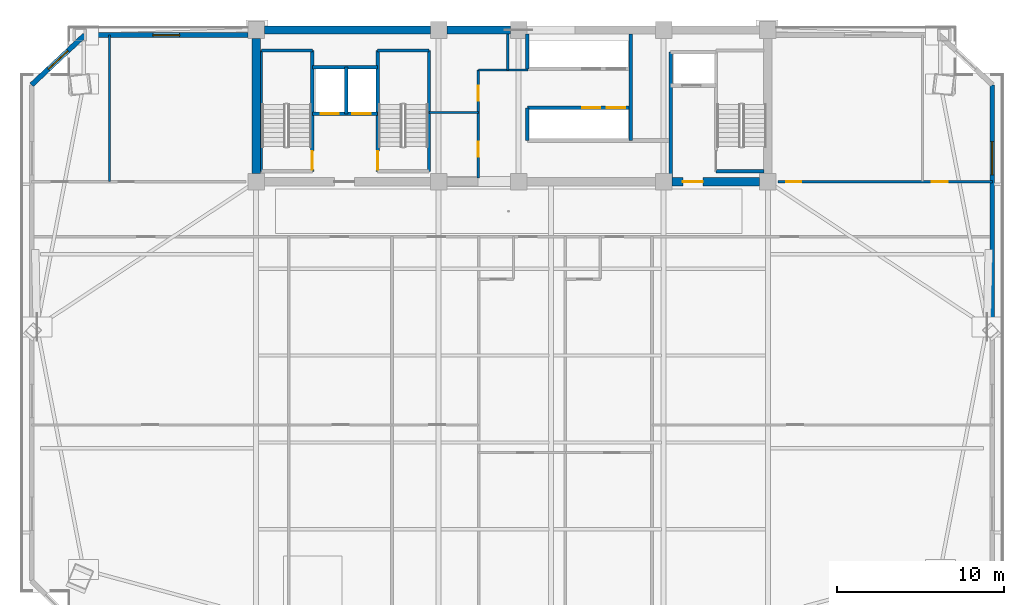
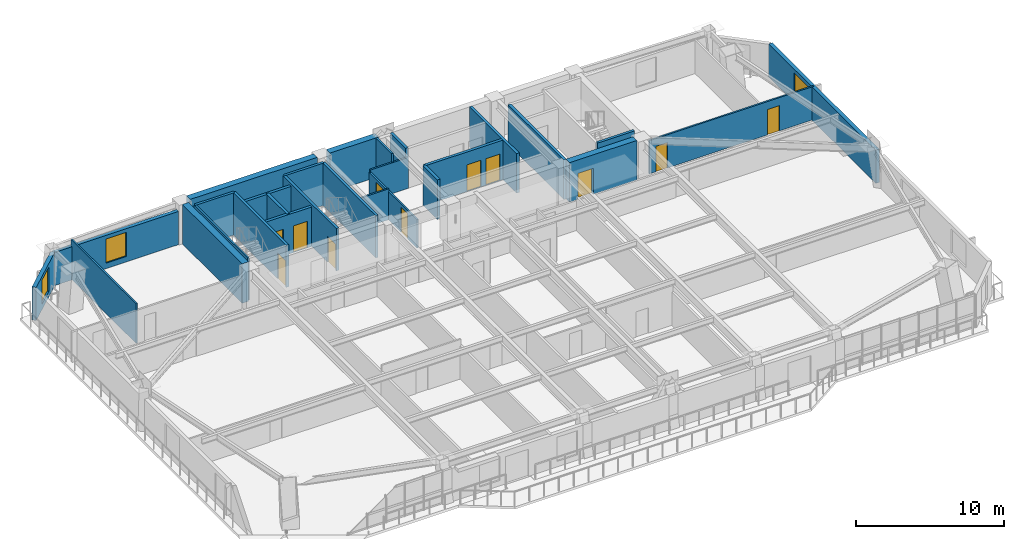
# One storey, part 9 of 16: 28 walls, 11 doors, 3 windows, 14 openings.
"""IFC4 building model written with IfcOpenShell, lengths in metres."""

from ifc_helpers import new_model, si_unit, direction, frame, frame_2d, origin, place, context, subcontext, project, spatial, rectangle, extrude, source, transform, mapped, material, layer, layer_set, type_object, element, fill, save


model = new_model("IFC4")

# Units and contexts
model_context = context("Model", 3, precision=1e-05, world=origin(), true_north=direction((0.0, 1.0)))
body_context = subcontext(model_context, "Body", "Model", "MODEL_VIEW")
ifc_project = project(units=[si_unit("LENGTHUNIT", "METRE"), si_unit("AREAUNIT", "SQUARE_METRE"), si_unit("VOLUMEUNIT", "CUBIC_METRE"), si_unit("PLANEANGLEUNIT", "RADIAN"), si_unit("MASSUNIT", "GRAM", prefix="KILO")], contexts=[model_context])

# Site, building, storey
site_placement = place(None, origin())
site = spatial("IfcSite", under=ifc_project, at=site_placement, CompositionType="ELEMENT")
building_placement = place(site_placement, origin())
building = spatial("IfcBuilding", under=site, at=building_placement, Name="Giltprow Tower", CompositionType="ELEMENT")
storey_placement = place(building_placement, frame((0.0, 0.0, 199.199951171875)))
storey = spatial("IfcBuildingStorey", under=building, at=storey_placement, Name="L50", CompositionType="ELEMENT", Elevation=199.199951171875)

# Wall, opening, window
ifc_material_1 = material(Name="Precast concrete C40", Category="concrete")
ifc_layer_1 = layer(ifc_material_1, 0.300048828125, Name="Precast concrete C40")
ifc_layer_set_1 = layer_set([ifc_layer_1], Name="Precast concrete C40")
wall_type_1 = type_object("IfcWallType", Name="EW-NOTCH-CHAMFER-300", PredefinedType="SOLIDWALL", material=ifc_layer_set_1)
wall_1_placement = place(storey_placement, frame((9.573974609375, 46.25, 0.0), z_axis=(0.0, 0.0, 1.0), x_axis=(-0.729638355144, -0.683833218484, 0.0)))
wall_1 = element("IfcWall", 1, at=wall_1_placement, inside=storey, type_object=wall_type_1, Name="L50 Corner Notch Wall NW", PredefinedType="SOLIDWALL", context=body_context, shape_type="SweptSolid", body=[
    extrude(rectangle(XDim=4.365234375, YDim=0.300048828125, at=frame_2d((2.1826171875, 0.0))), origin(), (0.0, 0.0, 1.0), 2.75),
])
opening_1_placement = place(wall_1_placement, frame((1.383056640625, 0.0, 0.449951171875)))
opening_1 = element("IfcOpeningElement", 2, at=opening_1_placement, cuts=wall_1, Name="Opening WN17", PredefinedType="OPENING", context=body_context, shape_type="SweptSolid", body=[
    extrude(rectangle(XDim=1.60009765625, YDim=2.0, at=frame_2d((0.800048828125, 1.0))), frame((0.0, 0.159912109375, 0.0), z_axis=(0.0, -1.0, 0.0), x_axis=(1.0, 0.0, 0.0)), (0.0, 0.0, 1.0), 0.320068359375),
])
ifc_material_2 = material(Name="Insulated glass", Category="glass")
window_type_1 = type_object("IfcWindowType", Name="WN-COR-1600x2000", PartitioningType="SINGLE_PANEL", PredefinedType="WINDOW", material=ifc_material_2)
shared_shape_1 = source(origin(), body_context, "Body", "SweptSolid", [
    extrude(rectangle(XDim=1.60009765625, YDim=2.0, at=frame_2d((0.800048828125, 1.0))), frame((0.0, 0.030029296875, 0.0), z_axis=(0.0, -1.0, 0.0), x_axis=(1.0, 0.0, 0.0)), (0.0, 0.0, 1.0), 0.06005859375),
])
window_1_placement = place(opening_1_placement, origin())
window_1 = element("IfcWindow", 3, at=window_1_placement, inside=storey, type_object=window_type_1, Name="L50 Corner Notch Window NW", OverallHeight=2.0, OverallWidth=1.60009765625, PartitioningType="SINGLE_PANEL", PredefinedType="WINDOW", context=body_context, shape_type="MappedRepresentation", body=[
    mapped(shared_shape_1, transform((0.0, 0.0, 0.0), x_axis=(1.0, 0.0, 0.0), y_axis=(0.0, 1.0, 0.0), z_axis=(0.0, 0.0, 1.0), scale=1.0)),
])
fill(opening_1, window_1)

ifc_layer_2 = layer(ifc_material_1, 0.280029296875, Name="Precast concrete C40")
ifc_layer_set_2 = layer_set([ifc_layer_2], Name="Precast concrete C40")
wall_type_2 = type_object("IfcWallType", Name="EW-TOW-BRONZE-280", PredefinedType="SOLIDWALL", material=ifc_layer_set_2)
wall_2_placement = place(storey_placement, frame((64.011962890625, 28.739990234375, 0.0), z_axis=(0.0, 0.0, 1.0), x_axis=(0.0, 1.0, 0.0)))
wall_2 = element("IfcWall", 4, at=wall_2_placement, inside=storey, type_object=wall_type_2, Name="L50 E Wing Masonry Wall 2", PredefinedType="SOLIDWALL", context=body_context, shape_type="SweptSolid", body=[
    extrude(rectangle(XDim=14.52490234375, YDim=0.280029296875, at=frame_2d((7.262451171875, 0.0))), origin(), (0.0, 0.0, 1.0), 2.75),
])
opening_2_placement = place(wall_2_placement, frame((9.114990234375, 0.0, 0.449951171875)))
opening_2 = element("IfcOpeningElement", 5, at=opening_2_placement, cuts=wall_2, Name="Opening WN21", PredefinedType="OPENING", context=body_context, shape_type="SweptSolid", body=[
    extrude(rectangle(XDim=2.0, YDim=2.0, at=frame_2d((1.0, 1.0))), frame((0.0, 0.14990234375, 0.0), z_axis=(0.0, -1.0, 0.0), x_axis=(1.0, 0.0, 0.0)), (0.0, 0.0, 1.0), 0.300048828125),
])
window_type_2 = type_object("IfcWindowType", Name="WN-HTL-2000x2000", PartitioningType="DOUBLE_PANEL_VERTICAL", PredefinedType="WINDOW", material=ifc_material_2)
shared_shape_2 = source(origin(), body_context, "Body", "SweptSolid", [
    extrude(rectangle(XDim=2.0, YDim=2.0, at=frame_2d((1.0, 1.0))), frame((0.0, 0.030029296875, 0.0), z_axis=(0.0, -1.0, 0.0), x_axis=(1.0, 0.0, 0.0)), (0.0, 0.0, 1.0), 0.06005859375),
])
window_2_placement = place(opening_2_placement, origin())
window_2 = element("IfcWindow", 6, at=window_2_placement, inside=storey, type_object=window_type_2, Name="L50 E Wing Window 2-1", OverallHeight=2.0, OverallWidth=2.0, PartitioningType="SINGLE_PANEL", PredefinedType="WINDOW", context=body_context, shape_type="MappedRepresentation", body=[
    mapped(shared_shape_2, transform((0.0, 0.0, 0.0), x_axis=(1.0, 0.0, 0.0), y_axis=(0.0, 1.0, 0.0), z_axis=(0.0, 0.0, 1.0), scale=1.0)),
])
fill(opening_2, window_2)

wall_3_placement = place(storey_placement, frame((9.573974609375, 46.25, 0.0), z_axis=(0.0, 0.0, 1.0), x_axis=(1.0, 0.0, 0.0)))
wall_3 = element("IfcWall", 7, at=wall_3_placement, inside=storey, type_object=wall_type_2, Name="L50 North-West Wing Wall", PredefinedType="SOLIDWALL", context=body_context, shape_type="SweptSolid", body=[
    extrude(rectangle(XDim=9.776123046875, YDim=0.280029296875, at=frame_2d((4.88818359375, 0.0))), origin(), (0.0, 0.0, 1.0), 2.75),
])
opening_3_placement = place(wall_3_placement, frame((4.087890625, 0.0, 0.449951171875)))
opening_3 = element("IfcOpeningElement", 8, at=opening_3_placement, cuts=wall_3, Name="Opening WN17", PredefinedType="OPENING", context=body_context, shape_type="SweptSolid", body=[
    extrude(rectangle(XDim=1.60009765625, YDim=2.0, at=frame_2d((0.800048828125, 1.0))), frame((0.0, 0.14990234375, 0.0), z_axis=(0.0, -1.0, 0.0), x_axis=(1.0, 0.0, 0.0)), (0.0, 0.0, 1.0), 0.300048828125),
])
window_3_placement = place(opening_3_placement, origin())
window_3 = element("IfcWindow", 9, at=window_3_placement, inside=storey, type_object=window_type_1, Name="L50 North-West Window", OverallHeight=2.0, OverallWidth=1.60009765625, PartitioningType="SINGLE_PANEL", PredefinedType="WINDOW", context=body_context, shape_type="MappedRepresentation", body=[
    mapped(shared_shape_1, transform((0.0, 0.0, 0.0), x_axis=(1.0, 0.0, 0.0), y_axis=(0.0, 1.0, 0.0), z_axis=(0.0, 0.0, 1.0), scale=1.0)),
])
fill(opening_3, window_3)

# Wall, openings, doors
ifc_material_3 = material(Name="Concrete C40", Category="concrete")
ifc_layer_3 = layer(ifc_material_3, 0.219970703125, Name="Concrete C40")
ifc_layer_set_3 = layer_set([ifc_layer_3], Name="Concrete C40")
wall_type_3 = type_object("IfcWallType", Name="IW-SHAFT-220", PredefinedType="SOLIDWALL", material=ifc_layer_set_3)
wall_4_placement = place(storey_placement, frame((23.219970703125, 41.52001953125, 0.0), z_axis=(0.0, 0.0, 1.0), x_axis=(1.0, 0.0, 0.0)))
wall_4 = element("IfcWall", 10, at=wall_4_placement, inside=storey, type_object=wall_type_3, Name="L50 FFL1 and Service Lift Front Wall", PredefinedType="SOLIDWALL", context=body_context, shape_type="SweptSolid", body=[
    extrude(rectangle(XDim=3.919921875, YDim=0.219970703125, at=frame_2d((1.9599609375, 0.0))), origin(), (0.0, 0.0, 1.0), 3.27001953125),
])
opening_4_placement = place(wall_4_placement, frame((0.5, 0.0, 0.0)))
opening_4 = element("IfcOpeningElement", 11, at=opening_4_placement, cuts=wall_4, Name="Opening LD-11", PredefinedType="OPENING", context=body_context, shape_type="SweptSolid", body=[
    extrude(rectangle(XDim=1.10009765625, YDim=2.199951171875, at=frame_2d((0.550048828125, 1.10009765625))), frame((0.0, 0.119873046875, 0.0), z_axis=(0.0, -1.0, 0.0), x_axis=(1.0, 0.0, 0.0)), (0.0, 0.0, 1.0), 0.239990234375),
])
opening_5_placement = place(wall_4_placement, frame((2.39990234375, 0.0, 0.0)))
opening_5 = element("IfcOpeningElement", 12, at=opening_5_placement, cuts=wall_4, Name="Opening LD-11", PredefinedType="OPENING", context=body_context, shape_type="SweptSolid", body=[
    extrude(rectangle(XDim=1.10009765625, YDim=2.199951171875, at=frame_2d((0.550048828125, 1.10009765625))), frame((0.0, 0.119873046875, 0.0), z_axis=(0.0, -1.0, 0.0), x_axis=(1.0, 0.0, 0.0)), (0.0, 0.0, 1.0), 0.239990234375),
])
ifc_material_4 = material(Name="Stainless steel", Category="steel")
door_type_1 = type_object("IfcDoorType", Name="DR-LIFT-LD1100", OperationType="SLIDING_TO_LEFT", PredefinedType="DOOR", material=ifc_material_4)
shared_shape_3 = source(origin(), body_context, "Body", "SweptSolid", [
    extrude(rectangle(XDim=1.10009765625, YDim=2.199951171875, at=frame_2d((0.550048828125, 1.10009765625))), frame((0.0, 0.02490234375, 0.0), z_axis=(0.0, -1.0, 0.0), x_axis=(1.0, 0.0, 0.0)), (0.0, 0.0, 1.0), 0.050048828125),
])
door_1_placement = place(opening_4_placement, origin())
door_1 = element("IfcDoor", 13, at=door_1_placement, inside=storey, type_object=door_type_1, Name="L50 FFL1 Landing Door", OperationType="SLIDING_TO_LEFT", OverallHeight=2.199951171875, OverallWidth=1.10009765625, PredefinedType="DOOR", context=body_context, shape_type="MappedRepresentation", body=[
    mapped(shared_shape_3, transform((0.0, 0.0, 0.0), x_axis=(1.0, 0.0, 0.0), y_axis=(0.0, 1.0, 0.0), z_axis=(0.0, 0.0, 1.0), scale=1.0)),
])
fill(opening_4, door_1)
door_2_placement = place(opening_5_placement, origin())
door_2 = element("IfcDoor", 14, at=door_2_placement, inside=storey, type_object=door_type_1, Name="L50 SVL1 Landing Door", OperationType="SLIDING_TO_LEFT", OverallHeight=2.199951171875, OverallWidth=1.10009765625, PredefinedType="DOOR", context=body_context, shape_type="MappedRepresentation", body=[
    mapped(shared_shape_3, transform((0.0, 0.0, 0.0), x_axis=(1.0, 0.0, 0.0), y_axis=(0.0, 1.0, 0.0), z_axis=(0.0, 0.0, 1.0), scale=1.0)),
])
fill(opening_5, door_2)

# Walls
wall_5_placement = place(storey_placement, frame((25.260009765625, 41.52001953125, 0.0), z_axis=(0.0, 0.0, 1.0), x_axis=(0.0, 1.0, 0.0)))
element("IfcWall", 15, at=wall_5_placement, inside=storey, type_object=wall_type_3, Name="L50 FFL1-SVL1 Shaft Divider", PredefinedType="SOLIDWALL", context=body_context, shape_type="SweptSolid", body=[
    extrude(rectangle(XDim=2.800048828125, YDim=0.219970703125, at=frame_2d((1.39990234375, 0.0))), origin(), (0.0, 0.0, 1.0), 3.27001953125),
])
wall_6_placement = place(storey_placement, frame((23.219970703125, 44.320068359375, 0.0), z_axis=(0.0, 0.0, 1.0), x_axis=(1.0, 0.0, 0.0)))
element("IfcWall", 16, at=wall_6_placement, inside=storey, type_object=wall_type_3, Name="L50 FFL1-SVL1 Back Shaft Wall", PredefinedType="SOLIDWALL", context=body_context, shape_type="SweptSolid", body=[
    extrude(rectangle(XDim=3.919921875, YDim=0.219970703125, at=frame_2d((1.9599609375, 0.0))), origin(), (0.0, 0.0, 1.0), 3.27001953125),
])
wall_7_placement = place(storey_placement, frame((44.719970703125, 37.679931640625, 0.0), z_axis=(0.0, 0.0, 1.0), x_axis=(0.0, 1.0, 0.0)))
element("IfcWall", 17, at=wall_7_placement, inside=storey, type_object=wall_type_3, Name="L50 East Firefighting Lobby West Wall", PredefinedType="SOLIDWALL", context=body_context, shape_type="SweptSolid", body=[
    extrude(rectangle(XDim=7.5400390625, YDim=0.219970703125, at=frame_2d((3.77001953125, 0.0))), origin(), (0.0, 0.0, 1.0), 3.27001953125),
])

# Wall, openings, doors
wall_8_placement = place(storey_placement, frame((36.1201171875, 41.8798828125, 0.0), z_axis=(0.0, 0.0, 1.0), x_axis=(1.0, 0.0, 0.0)))
wall_8 = element("IfcWall", 18, at=wall_8_placement, inside=storey, type_object=wall_type_3, Name="L50 Mid-Rise Lift Shaft Front Wall S", PredefinedType="SOLIDWALL", context=body_context, shape_type="SweptSolid", body=[
    extrude(rectangle(XDim=6.199951171875, YDim=0.219970703125, at=frame_2d((3.10009765625, 0.0))), origin(), (0.0, 0.0, 1.0), 3.27001953125),
])
opening_6_placement = place(wall_8_placement, frame((3.280029296875, 0.0, 0.0)))
opening_6 = element("IfcOpeningElement", 19, at=opening_6_placement, cuts=wall_8, Name="Opening LD-11", PredefinedType="OPENING", context=body_context, shape_type="SweptSolid", body=[
    extrude(rectangle(XDim=1.10009765625, YDim=2.199951171875, at=frame_2d((0.550048828125, 1.10009765625))), frame((0.0, 0.119873046875, 0.0), z_axis=(0.0, -1.0, 0.0), x_axis=(1.0, 0.0, 0.0)), (0.0, 0.0, 1.0), 0.239990234375),
])
opening_7_placement = place(wall_8_placement, frame((4.77001953125, 0.0, 0.0)))
opening_7 = element("IfcOpeningElement", 20, at=opening_7_placement, cuts=wall_8, Name="Opening LD-11", PredefinedType="OPENING", context=body_context, shape_type="SweptSolid", body=[
    extrude(rectangle(XDim=1.10009765625, YDim=2.199951171875, at=frame_2d((0.550048828125, 1.10009765625))), frame((0.0, 0.119873046875, 0.0), z_axis=(0.0, -1.0, 0.0), x_axis=(1.0, 0.0, 0.0)), (0.0, 0.0, 1.0), 0.239990234375),
])
door_3_placement = place(opening_6_placement, origin())
door_3 = element("IfcDoor", 21, at=door_3_placement, inside=storey, type_object=door_type_1, Name="L50 PL-M3 Landing Door", OperationType="SLIDING_TO_LEFT", OverallHeight=2.199951171875, OverallWidth=1.10009765625, PredefinedType="DOOR", context=body_context, shape_type="MappedRepresentation", body=[
    mapped(shared_shape_3, transform((0.0, 0.0, 0.0), x_axis=(1.0, 0.0, 0.0), y_axis=(0.0, 1.0, 0.0), z_axis=(0.0, 0.0, 1.0), scale=1.0)),
])
fill(opening_6, door_3)
door_4_placement = place(opening_7_placement, origin())
door_4 = element("IfcDoor", 22, at=door_4_placement, inside=storey, type_object=door_type_1, Name="L50 PL-M4 Landing Door", OperationType="SLIDING_TO_LEFT", OverallHeight=2.199951171875, OverallWidth=1.10009765625, PredefinedType="DOOR", context=body_context, shape_type="MappedRepresentation", body=[
    mapped(shared_shape_3, transform((0.0, 0.0, 0.0), x_axis=(1.0, 0.0, 0.0), y_axis=(0.0, 1.0, 0.0), z_axis=(0.0, 0.0, 1.0), scale=1.0)),
])
fill(opening_7, door_4)

# Walls
wall_9_placement = place(storey_placement, frame((42.320068359375, 39.919921875, 0.0), z_axis=(0.0, 0.0, 1.0), x_axis=(0.0, 1.0, 0.0)))
element("IfcWall", 23, at=wall_9_placement, inside=storey, type_object=wall_type_3, Name="L50 Mid-Rise Lift Bank East Closure", PredefinedType="SOLIDWALL", context=body_context, shape_type="SweptSolid", body=[
    extrude(rectangle(XDim=6.400146484375, YDim=0.219970703125, at=frame_2d((3.2001953125, 0.0))), origin(), (0.0, 0.0, 1.0), 3.27001953125),
])
wall_10_placement = place(storey_placement, frame((36.1201171875, 39.919921875, 0.0), z_axis=(0.0, 0.0, 1.0), x_axis=(0.0, 1.0, 0.0)))
element("IfcWall", 24, at=wall_10_placement, inside=storey, type_object=wall_type_3, Name="L50 Mid-Rise South Lift West Closure", PredefinedType="SOLIDWALL", context=body_context, shape_type="SweptSolid", body=[
    extrude(rectangle(XDim=1.9599609375, YDim=0.219970703125, at=frame_2d((0.97998046875, 0.0))), origin(), (0.0, 0.0, 1.0), 3.27001953125),
])
wall_11_placement = place(storey_placement, frame((36.1201171875, 44.219970703125, 0.0), z_axis=(0.0, 0.0, 1.0), x_axis=(0.0, 1.0, 0.0)))
element("IfcWall", 25, at=wall_11_placement, inside=storey, type_object=wall_type_3, Name="L50 Mid-Rise North Lift West Closure", PredefinedType="SOLIDWALL", context=body_context, shape_type="SweptSolid", body=[
    extrude(rectangle(XDim=2.10009765625, YDim=0.219970703125, at=frame_2d((1.050048828125, 0.0))), origin(), (0.0, 0.0, 1.0), 3.27001953125),
])
ifc_material_5 = material(Name="Concrete C45", Category="concrete")
ifc_layer_4 = layer(ifc_material_5, 0.139892578125, Name="Concrete C45")
ifc_layer_set_4 = layer_set([ifc_layer_4], Name="Concrete C45")
wall_type_4 = type_object("IfcWallType", Name="IW-STAIR-140", PredefinedType="SOLIDWALL", material=ifc_layer_set_4)
wall_12_placement = place(storey_placement, frame((20.169921875, 38.070068359375, 0.0), z_axis=(0.0, 0.0, 1.0), x_axis=(0.0, 1.0, 0.0)))
element("IfcWall", 26, at=wall_12_placement, inside=storey, type_object=wall_type_4, Name="L50 Stair ST-1 West Bearing Wall", PredefinedType="SOLIDWALL", context=body_context, shape_type="SweptSolid", body=[
    extrude(rectangle(XDim=7.25, YDim=0.139892578125, at=frame_2d((3.625, 0.0))), origin(), (0.0, 0.0, 1.0), 3.5),
])

# Wall, opening, door
ifc_layer_5 = layer(ifc_material_3, 0.199951171875, Name="Concrete C40")
ifc_layer_set_5 = layer_set([ifc_layer_5], Name="Concrete C40")
wall_type_5 = type_object("IfcWallType", Name="IW-STAIR-200", PredefinedType="SOLIDWALL", material=ifc_layer_set_5)
wall_13_placement = place(storey_placement, frame((23.219970703125, 38.070068359375, 0.0), z_axis=(0.0, 0.0, 1.0), x_axis=(0.0, 1.0, 0.0)))
wall_13 = element("IfcWall", 27, at=wall_13_placement, inside=storey, type_object=wall_type_5, Name="L50 Stair ST-1 East Bearing Wall", PredefinedType="SOLIDWALL", context=body_context, shape_type="SweptSolid", body=[
    extrude(rectangle(XDim=7.25, YDim=0.199951171875, at=frame_2d((3.625, 0.0))), origin(), (0.0, 0.0, 1.0), 3.5),
])
opening_8_placement = place(wall_13_placement, frame((0.110107421875, 0.0, 0.0)))
opening_8 = element("IfcOpeningElement", 28, at=opening_8_placement, cuts=wall_13, Name="Opening ID33", PredefinedType="OPENING", context=body_context, shape_type="SweptSolid", body=[
    extrude(rectangle(XDim=1.10009765625, YDim=2.14990234375, at=frame_2d((0.550048828125, 1.074951171875))), frame((0.0, 0.10986328125, 0.0), z_axis=(0.0, -1.0, 0.0), x_axis=(1.0, 0.0, 0.0)), (0.0, 0.0, 1.0), 0.219970703125),
])
ifc_material_6 = material(Name="Steel fire leaf", Category="steel")
door_type_2 = type_object("IfcDoorType", Name="DR-STAIR-1100", OperationType="SINGLE_SWING_LEFT", PredefinedType="DOOR", material=ifc_material_6)
shared_shape_4 = source(origin(), body_context, "Body", "SweptSolid", [
    extrude(rectangle(XDim=1.10009765625, YDim=2.14990234375, at=frame_2d((0.550048828125, 1.074951171875))), frame((0.0, 0.02490234375, 0.0), z_axis=(0.0, -1.0, 0.0), x_axis=(1.0, 0.0, 0.0)), (0.0, 0.0, 1.0), 0.050048828125),
])
door_5_placement = place(opening_8_placement, origin())
door_5 = element("IfcDoor", 29, at=door_5_placement, inside=storey, type_object=door_type_2, Name="L50 Stair ST-1 Fire Door", OperationType="SINGLE_SWING_RIGHT", OverallHeight=2.14990234375, OverallWidth=1.10009765625, PredefinedType="DOOR", context=body_context, shape_type="MappedRepresentation", body=[
    mapped(shared_shape_4, transform((0.0, 0.0, 0.0), x_axis=(1.0, 0.0, 0.0), y_axis=(0.0, 1.0, 0.0), z_axis=(0.0, 0.0, 1.0), scale=1.0)),
])
fill(opening_8, door_5)

# Wall
wall_14_placement = place(storey_placement, frame((20.169921875, 45.320068359375, 0.0), z_axis=(0.0, 0.0, 1.0), x_axis=(1.0, 0.0, 0.0)))
element("IfcWall", 30, at=wall_14_placement, inside=storey, type_object=wall_type_5, Name="L50 Stair ST-1 North Bearing Wall", PredefinedType="SOLIDWALL", context=body_context, shape_type="SweptSolid", body=[
    extrude(rectangle(XDim=3.050048828125, YDim=0.199951171875, at=frame_2d((1.52490234375, 0.0))), origin(), (0.0, 0.0, 1.0), 3.5),
])

# Wall, opening, door
wall_15_placement = place(storey_placement, frame((27.139892578125, 38.070068359375, 0.0), z_axis=(0.0, 0.0, 1.0), x_axis=(0.0, 1.0, 0.0)))
wall_15 = element("IfcWall", 31, at=wall_15_placement, inside=storey, type_object=wall_type_5, Name="L50 Stair ST-2 West Bearing Wall", PredefinedType="SOLIDWALL", context=body_context, shape_type="SweptSolid", body=[
    extrude(rectangle(XDim=7.25, YDim=0.199951171875, at=frame_2d((3.625, 0.0))), origin(), (0.0, 0.0, 1.0), 3.5),
])
opening_9_placement = place(wall_15_placement, frame((0.110107421875, 0.0, 0.0)))
opening_9 = element("IfcOpeningElement", 32, at=opening_9_placement, cuts=wall_15, Name="Opening ID33", PredefinedType="OPENING", context=body_context, shape_type="SweptSolid", body=[
    extrude(rectangle(XDim=1.10009765625, YDim=2.14990234375, at=frame_2d((0.550048828125, 1.074951171875))), frame((0.0, 0.10986328125, 0.0), z_axis=(0.0, -1.0, 0.0), x_axis=(1.0, 0.0, 0.0)), (0.0, 0.0, 1.0), 0.219970703125),
])
door_6_placement = place(opening_9_placement, origin())
door_6 = element("IfcDoor", 33, at=door_6_placement, inside=storey, type_object=door_type_2, Name="L50 Stair ST-2 Fire Door", OperationType="SINGLE_SWING_LEFT", OverallHeight=2.14990234375, OverallWidth=1.10009765625, PredefinedType="DOOR", context=body_context, shape_type="MappedRepresentation", body=[
    mapped(shared_shape_4, transform((0.0, 0.0, 0.0), x_axis=(1.0, 0.0, 0.0), y_axis=(0.0, 1.0, 0.0), z_axis=(0.0, 0.0, 1.0), scale=1.0)),
])
fill(opening_9, door_6)

# Walls
wall_16_placement = place(storey_placement, frame((30.219970703125, 38.070068359375, 0.0), z_axis=(0.0, 0.0, 1.0), x_axis=(0.0, 1.0, 0.0)))
element("IfcWall", 34, at=wall_16_placement, inside=storey, type_object=wall_type_5, Name="L50 Stair ST-2 East Bearing Wall", PredefinedType="SOLIDWALL", context=body_context, shape_type="SweptSolid", body=[
    extrude(rectangle(XDim=7.25, YDim=0.199951171875, at=frame_2d((3.625, 0.0))), origin(), (0.0, 0.0, 1.0), 3.5),
])
wall_17_placement = place(storey_placement, frame((27.139892578125, 45.320068359375, 0.0), z_axis=(0.0, 0.0, 1.0), x_axis=(1.0, 0.0, 0.0)))
element("IfcWall", 35, at=wall_17_placement, inside=storey, type_object=wall_type_5, Name="L50 Stair ST-2 North Bearing Wall", PredefinedType="SOLIDWALL", context=body_context, shape_type="SweptSolid", body=[
    extrude(rectangle(XDim=3.080078125, YDim=0.199951171875, at=frame_2d((1.5400390625, 0.0))), origin(), (0.0, 0.0, 1.0), 3.5),
])
wall_18_placement = place(storey_placement, frame((47.43994140625, 38.070068359375, 0.0), z_axis=(0.0, 0.0, 1.0), x_axis=(1.0, 0.0, 0.0)))
element("IfcWall", 36, at=wall_18_placement, inside=storey, type_object=wall_type_5, Name="L50 Stair ST-3 South Bearing Wall", PredefinedType="SOLIDWALL", context=body_context, shape_type="SweptSolid", body=[
    extrude(rectangle(XDim=2.880126953125, YDim=0.199951171875, at=frame_2d((1.43994140625, 0.0))), origin(), (0.0, 0.0, 1.0), 3.5),
])

# Wall, openings, doors
ifc_material_7 = material(Name="Concrete C30", Category="concrete")
ifc_layer_6 = layer(ifc_material_7, 0.1298828125, Name="Concrete C30")
ifc_layer_set_6 = layer_set([ifc_layer_6], Name="Concrete C30")
wall_type_6 = type_object("IfcWallType", Name="IW-WET-130", PredefinedType="PARTITIONING", material=ifc_layer_set_6)
wall_19_placement = place(storey_placement, frame((33.179931640625, 37.679931640625, 0.0), z_axis=(0.0, 0.0, 1.0), x_axis=(0.0, 1.0, 0.0)))
wall_19 = element("IfcWall", 37, at=wall_19_placement, inside=storey, type_object=wall_type_6, Name="L50 Reclaimed Core Room East Wall", PredefinedType="PARTITIONING", context=body_context, shape_type="SweptSolid", body=[
    extrude(rectangle(XDim=6.469970703125, YDim=0.1298828125, at=frame_2d((3.23486328125, 0.0))), origin(), (0.0, 0.0, 1.0), 2.35498046875),
])
opening_10_placement = place(wall_19_placement, frame((1.27001953125, 0.0, 0.0)))
opening_10 = element("IfcOpeningElement", 38, at=opening_10_placement, cuts=wall_19, Name="Opening ID35", PredefinedType="OPENING", context=body_context, shape_type="SweptSolid", body=[
    extrude(rectangle(XDim=0.89990234375, YDim=2.10009765625, at=frame_2d((0.449951171875, 1.050048828125))), frame((0.0, 0.074951171875, 0.0), z_axis=(0.0, -1.0, 0.0), x_axis=(1.0, 0.0, 0.0)), (0.0, 0.0, 1.0), 0.14990234375),
])
opening_11_placement = place(wall_19_placement, frame((4.6201171875, 0.0, 0.0)))
opening_11 = element("IfcOpeningElement", 39, at=opening_11_placement, cuts=wall_19, Name="Opening ID35", PredefinedType="OPENING", context=body_context, shape_type="SweptSolid", body=[
    extrude(rectangle(XDim=0.89990234375, YDim=2.10009765625, at=frame_2d((0.449951171875, 1.050048828125))), frame((0.0, 0.074951171875, 0.0), z_axis=(0.0, -1.0, 0.0), x_axis=(1.0, 0.0, 0.0)), (0.0, 0.0, 1.0), 0.14990234375),
])
door_type_3 = type_object("IfcDoorType", Name="DR-SHAFT-900", OperationType="SINGLE_SWING_LEFT", PredefinedType="DOOR", material=ifc_material_6)
shared_shape_5 = source(origin(), body_context, "Body", "SweptSolid", [
    extrude(rectangle(XDim=0.89990234375, YDim=2.10009765625, at=frame_2d((0.449951171875, 1.050048828125))), frame((0.0, 0.02490234375, 0.0), z_axis=(0.0, -1.0, 0.0), x_axis=(1.0, 0.0, 0.0)), (0.0, 0.0, 1.0), 0.050048828125),
])
door_7_placement = place(opening_10_placement, origin())
door_7 = element("IfcDoor", 40, at=door_7_placement, inside=storey, type_object=door_type_3, Name="L50 Housekeeping Room Door", OperationType="SINGLE_SWING_LEFT", OverallHeight=2.10009765625, OverallWidth=0.89990234375, PredefinedType="DOOR", context=body_context, shape_type="MappedRepresentation", body=[
    mapped(shared_shape_5, transform((0.0, 0.0, 0.0), x_axis=(1.0, 0.0, 0.0), y_axis=(0.0, 1.0, 0.0), z_axis=(0.0, 0.0, 1.0), scale=1.0)),
])
fill(opening_10, door_7)
door_8_placement = place(opening_11_placement, origin())
door_8 = element("IfcDoor", 41, at=door_8_placement, inside=storey, type_object=door_type_3, Name="L50 Core Staff Washroom Door", OperationType="SINGLE_SWING_RIGHT", OverallHeight=2.10009765625, OverallWidth=0.89990234375, PredefinedType="DOOR", context=body_context, shape_type="MappedRepresentation", body=[
    mapped(shared_shape_5, transform((0.0, 0.0, 0.0), x_axis=(1.0, 0.0, 0.0), y_axis=(0.0, 1.0, 0.0), z_axis=(0.0, 0.0, 1.0), scale=1.0)),
])
fill(opening_11, door_8)

# Walls
wall_20_placement = place(storey_placement, frame((34.949951171875, 44.14990234375, 0.0), z_axis=(0.0, 0.0, 1.0), x_axis=(0.0, 1.0, 0.0)))
element("IfcWall", 42, at=wall_20_placement, inside=storey, type_object=wall_type_6, Name="L50 Reclaimed North Pocket East Wall", PredefinedType="PARTITIONING", context=body_context, shape_type="SweptSolid", body=[
    extrude(rectangle(XDim=2.170166015625, YDim=0.1298828125, at=frame_2d((1.0849609375, 0.0))), origin(), (0.0, 0.0, 1.0), 3.27001953125),
])
wall_21_placement = place(storey_placement, frame((33.179931640625, 44.14990234375, 0.0), z_axis=(0.0, 0.0, 1.0), x_axis=(1.0, 0.0, 0.0)))
element("IfcWall", 43, at=wall_21_placement, inside=storey, type_object=wall_type_6, Name="L50 Reclaimed North Pocket South Wall", PredefinedType="PARTITIONING", context=body_context, shape_type="SweptSolid", body=[
    extrude(rectangle(XDim=2.969970703125, YDim=0.1298828125, at=frame_2d((1.48486328125, 0.0))), origin(), (0.0, 0.0, 1.0), 2.554931640625),
])
wall_22_placement = place(storey_placement, frame((30.219970703125, 41.60009765625, 0.0), z_axis=(0.0, 0.0, 1.0), x_axis=(1.0, 0.0, 0.0)))
element("IfcWall", 44, at=wall_22_placement, inside=storey, type_object=wall_type_6, Name="L50 Core Housekeeping Split", PredefinedType="PARTITIONING", context=body_context, shape_type="SweptSolid", body=[
    extrude(rectangle(XDim=2.9599609375, YDim=0.1298828125, at=frame_2d((1.47998046875, 0.0))), origin(), (0.0, 0.0, 1.0), 2.554931640625),
])
wall_23_placement = place(storey_placement, frame((11.06689453125, 37.449951171875, 0.0), z_axis=(0.0, 0.0, 1.0), x_axis=(0.0, 1.0, 0.0)))
element("IfcWall", 45, at=wall_23_placement, inside=storey, type_object=wall_type_6, Name="L50 NW Wing Divider", PredefinedType="PARTITIONING", context=body_context, shape_type="SweptSolid", body=[
    extrude(rectangle(XDim=8.800048828125, YDim=0.1298828125, at=frame_2d((4.39990234375, 0.0))), origin(), (0.0, 0.0, 1.0), 3.27001953125),
])

# Wall, openings, doors
wall_24_placement = place(storey_placement, frame((51.14990234375, 37.449951171875, 0.0), z_axis=(0.0, 0.0, 1.0), x_axis=(1.0, 0.0, 0.0)))
wall_24 = element("IfcWall", 46, at=wall_24_placement, inside=storey, type_object=wall_type_6, Name="L50 NE Wing South Wall", PredefinedType="PARTITIONING", context=body_context, shape_type="SweptSolid", body=[
    extrude(rectangle(XDim=12.862060546875, YDim=0.1298828125, at=frame_2d((6.43115234375, 0.0))), origin(), (0.0, 0.0, 1.0), 2.755126953125),
])
opening_12_placement = place(wall_24_placement, frame((0.5, 0.0, 0.0)))
opening_12 = element("IfcOpeningElement", 47, at=opening_12_placement, cuts=wall_24, Name="Opening ID15", PredefinedType="OPENING", context=body_context, shape_type="SweptSolid", body=[
    extrude(rectangle(XDim=0.89990234375, YDim=2.10009765625, at=frame_2d((0.449951171875, 1.050048828125))), frame((0.0, 0.074951171875, 0.0), z_axis=(0.0, -1.0, 0.0), x_axis=(1.0, 0.0, 0.0)), (0.0, 0.0, 1.0), 0.14990234375),
])
opening_13_placement = place(wall_24_placement, frame((9.22412109375, 0.0, 0.0)))
opening_13 = element("IfcOpeningElement", 48, at=opening_13_placement, cuts=wall_24, Name="Opening ID11", PredefinedType="OPENING", context=body_context, shape_type="SweptSolid", body=[
    extrude(rectangle(XDim=0.949951171875, YDim=2.10009765625, at=frame_2d((0.47509765625, 1.050048828125))), frame((0.0, 0.074951171875, 0.0), z_axis=(0.0, -1.0, 0.0), x_axis=(1.0, 0.0, 0.0)), (0.0, 0.0, 1.0), 0.14990234375),
])
ifc_material_8 = material(Name="Engineered timber", Category="wood")
door_type_4 = type_object("IfcDoorType", Name="DR-WC-900", OperationType="SINGLE_SWING_LEFT", PredefinedType="DOOR", material=ifc_material_8)
door_9_placement = place(opening_12_placement, origin())
door_9 = element("IfcDoor", 49, at=door_9_placement, inside=storey, type_object=door_type_4, Name="L50 East Wing Washroom Door", OperationType="SINGLE_SWING_RIGHT", OverallHeight=2.10009765625, OverallWidth=0.89990234375, PredefinedType="DOOR", context=body_context, shape_type="MappedRepresentation", body=[
    mapped(shared_shape_5, transform((0.0, 0.0, 0.0), x_axis=(1.0, 0.0, 0.0), y_axis=(0.0, 1.0, 0.0), z_axis=(0.0, 0.0, 1.0), scale=1.0)),
])
fill(opening_12, door_9)
door_type_5 = type_object("IfcDoorType", Name="DR-ROOM-950", OperationType="SINGLE_SWING_RIGHT", PredefinedType="DOOR", material=ifc_material_8)
shared_shape_6 = source(origin(), body_context, "Body", "SweptSolid", [
    extrude(rectangle(XDim=0.949951171875, YDim=2.10009765625, at=frame_2d((0.47509765625, 1.050048828125))), frame((0.0, 0.02490234375, 0.0), z_axis=(0.0, -1.0, 0.0), x_axis=(1.0, 0.0, 0.0)), (0.0, 0.0, 1.0), 0.050048828125),
])
door_10_placement = place(opening_13_placement, origin())
door_10 = element("IfcDoor", 50, at=door_10_placement, inside=storey, type_object=door_type_5, Name="L50 Hotel Floor Linen Store Door", OperationType="SINGLE_SWING_RIGHT", OverallHeight=2.10009765625, OverallWidth=0.949951171875, PredefinedType="DOOR", context=body_context, shape_type="MappedRepresentation", body=[
    mapped(shared_shape_6, transform((0.0, 0.0, 0.0), x_axis=(1.0, 0.0, 0.0), y_axis=(0.0, 1.0, 0.0), z_axis=(0.0, 0.0, 1.0), scale=1.0)),
])
fill(opening_13, door_10)

# Walls
ifc_material_9 = material(Name="Concrete C50", Category="concrete")
ifc_layer_7 = layer(ifc_material_9, 0.5, Name="Concrete C50")
ifc_layer_set_7 = layer_set([ifc_layer_7], Name="Concrete C50")
wall_type_7 = type_object("IfcWallType", Name="SW-EXT-500-C50", PredefinedType="SHEAR", material=ifc_layer_set_7)
wall_25_placement = place(storey_placement, frame((20.35009765625, 46.550048828125, 0.0), z_axis=(0.0, 0.0, 1.0), x_axis=(1.0, 0.0, 0.0)))
element("IfcWall", 51, at=wall_25_placement, inside=storey, type_object=wall_type_7, Name="L50 North Rear Core Shear Wall 1", PredefinedType="SHEAR", context=body_context, shape_type="SweptSolid", body=[
    extrude(rectangle(XDim=9.949951171875, YDim=0.5, at=frame_2d((4.97509765625, 0.0))), origin(), (0.0, 0.0, 1.0), 3.27001953125),
])
wall_26_placement = place(storey_placement, frame((31.300048828125, 46.550048828125, 0.0), z_axis=(0.0, 0.0, 1.0), x_axis=(1.0, 0.0, 0.0)))
element("IfcWall", 52, at=wall_26_placement, inside=storey, type_object=wall_type_7, Name="L50 North Rear Core Shear Wall 2", PredefinedType="SHEAR", context=body_context, shape_type="SweptSolid", body=[
    extrude(rectangle(XDim=3.800048828125, YDim=0.5, at=frame_2d((1.89990234375, 0.0))), origin(), (0.0, 0.0, 1.0), 3.27001953125),
])

# Wall, opening, door
ifc_layer_8 = layer(ifc_material_9, 0.5, Name="Concrete C50")
ifc_layer_set_8 = layer_set([ifc_layer_8], Name="Concrete C50")
wall_type_8 = type_object("IfcWallType", Name="SW-INT-500-C50", PredefinedType="SHEAR", material=ifc_layer_set_8)
wall_27_placement = place(storey_placement, frame((44.800048828125, 37.449951171875, 0.0), z_axis=(0.0, 0.0, 1.0), x_axis=(1.0, 0.0, 0.0)))
wall_27 = element("IfcWall", 53, at=wall_27_placement, inside=storey, type_object=wall_type_8, Name="L50 South Rear Core Shear Wall East", PredefinedType="SHEAR", context=body_context, shape_type="SweptSolid", body=[
    extrude(rectangle(XDim=5.25, YDim=0.5, at=frame_2d((2.625, 0.0))), origin(), (0.0, 0.0, 1.0), 3.27001953125),
])
opening_14_placement = place(wall_27_placement, frame((0.64990234375, 0.0, 0.0)))
opening_14 = element("IfcOpeningElement", 54, at=opening_14_placement, cuts=wall_27, Name="Opening ID19", PredefinedType="OPENING", context=body_context, shape_type="SweptSolid", body=[
    extrude(rectangle(XDim=1.199951171875, YDim=2.14990234375, at=frame_2d((0.60009765625, 1.074951171875))), frame((0.0, 0.260009765625, 0.0), z_axis=(0.0, -1.0, 0.0), x_axis=(1.0, 0.0, 0.0)), (0.0, 0.0, 1.0), 0.52001953125),
])
door_type_6 = type_object("IfcDoorType", Name="DR-FFLOBBY-1200", OperationType="SINGLE_SWING_RIGHT", PredefinedType="DOOR", material=ifc_material_6)
shared_shape_7 = source(origin(), body_context, "Body", "SweptSolid", [
    extrude(rectangle(XDim=1.199951171875, YDim=2.14990234375, at=frame_2d((0.60009765625, 1.074951171875))), frame((0.0, 0.02490234375, 0.0), z_axis=(0.0, -1.0, 0.0), x_axis=(1.0, 0.0, 0.0)), (0.0, 0.0, 1.0), 0.050048828125),
])
door_11_placement = place(opening_14_placement, origin())
door_11 = element("IfcDoor", 55, at=door_11_placement, inside=storey, type_object=door_type_6, Name="L50 East Firefighting Lobby Entry Door", OperationType="SINGLE_SWING_RIGHT", OverallHeight=2.14990234375, OverallWidth=1.199951171875, PredefinedType="DOOR", context=body_context, shape_type="MappedRepresentation", body=[
    mapped(shared_shape_7, transform((0.0, 0.0, 0.0), x_axis=(1.0, 0.0, 0.0), y_axis=(0.0, 1.0, 0.0), z_axis=(0.0, 0.0, 1.0), scale=1.0)),
])
fill(opening_14, door_11)

# Wall
wall_28_placement = place(storey_placement, frame((19.85009765625, 37.949951171875, 0.0), z_axis=(0.0, 0.0, 1.0), x_axis=(0.0, 1.0, 0.0)))
element("IfcWall", 56, at=wall_28_placement, inside=storey, type_object=wall_type_8, Name="L50 W Rear Core Shear Wall", PredefinedType="SHEAR", context=body_context, shape_type="SweptSolid", body=[
    extrude(rectangle(XDim=8.10009765625, YDim=0.5, at=frame_2d((4.050048828125, 0.0))), origin(), (0.0, 0.0, 1.0), 3.27001953125),
])

save(model, "model.ifc")
